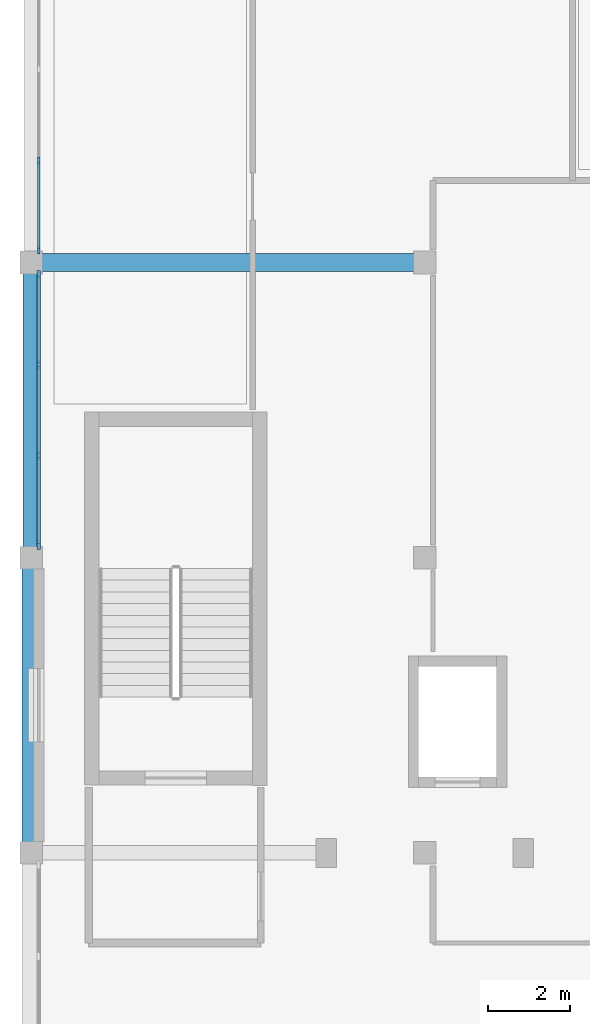
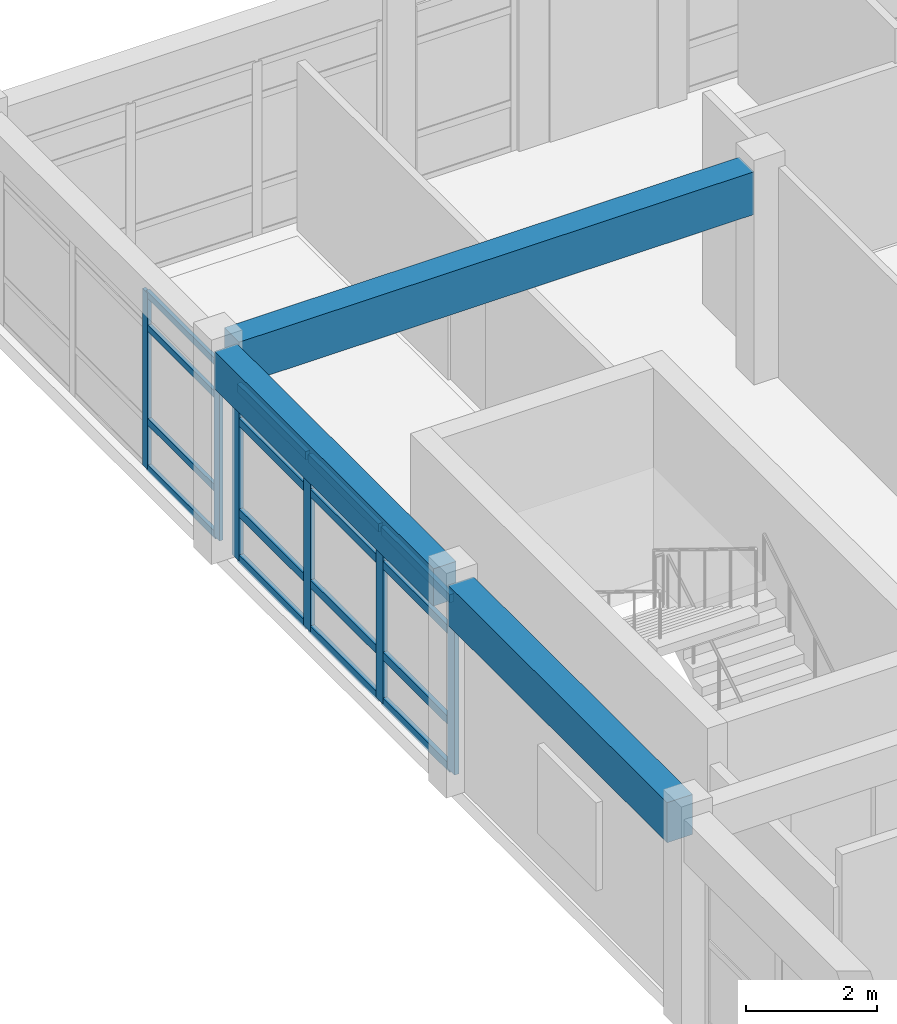
# One storey, part 11 of 60: 22 members, 3 beams, 2 elements without a shape of their own.
"""IFC4 building model written with IfcOpenShell, lengths in metres."""

from ifc_helpers import new_model, si_unit, direction, frame, origin, origin_2d, place, context, subcontext, project, spatial, rectangle, extrude, material, layer, layer_set, material_profile, profile_set, type_object, element, aggregate, save


model = new_model("IFC4")

# Units and contexts
model_context = context("Model", 3, precision=1e-05, world=origin(), true_north=direction((0.0, 1.0)))
body_context = subcontext(model_context, "Body", "Model", "MODEL_VIEW")
ifc_project = project(units=[si_unit("LENGTHUNIT", "METRE"), si_unit("AREAUNIT", "SQUARE_METRE"), si_unit("VOLUMEUNIT", "CUBIC_METRE"), si_unit("PLANEANGLEUNIT", "RADIAN"), si_unit("MASSUNIT", "GRAM", prefix="KILO")], contexts=[model_context])

# Site, building, storey
site_placement = place(None, origin())
site = spatial("IfcSite", under=ifc_project, at=site_placement, CompositionType="ELEMENT")
building_placement = place(site_placement, origin())
building = spatial("IfcBuilding", under=site, at=building_placement, Name="Brisavento Harbour Community Centre", CompositionType="ELEMENT")
storey_placement = place(building_placement, frame((0.0, 0.0, 4.5)))
storey = spatial("IfcBuildingStorey", under=building, at=storey_placement, Name="L01", CompositionType="ELEMENT", Elevation=4.5)

# Beams
ifc_material_1 = material(Name="Concrete C35/45", Category="concrete")
ifc_material_profile_1 = material_profile(ifc_material_1, rectangle(XDim=0.39990234375, YDim=0.699951171875, at=origin_2d()), Name="Concrete C35/45")
ifc_profile_set_1 = profile_set([ifc_material_profile_1], Name="Concrete C35/45")
beam_type_1 = type_object("IfcBeamType", Name="BM-RC-400x700", PredefinedType="BEAM", material=ifc_profile_set_1)
beam_1_placement = place(storey_placement, frame((0.0, 21.844970703125, 3.60009765625), z_axis=(0.0, 1.0, 0.0), x_axis=(-1.0, 0.0, 0.0)))
element("IfcBeam", 1, at=beam_1_placement, inside=storey, type_object=beam_type_1, Name="L01 primary girder Y0477", PredefinedType="BEAM", context=body_context, shape_type="SweptSolid", body=[
    extrude(rectangle(XDim=0.39990234375, YDim=0.699951171875, at=origin_2d()), origin(), (0.0, 0.0, 1.0), 6.7099609375),
])
ifc_material_profile_2 = material_profile(ifc_material_1, rectangle(XDim=0.449951171875, YDim=0.75, at=origin_2d()), Name="Concrete C35/45")
ifc_profile_set_2 = profile_set([ifc_material_profile_2], Name="Concrete C35/45")
beam_type_2 = type_object("IfcBeamType", Name="BM-RC-450x750", PredefinedType="BEAM", material=ifc_profile_set_2)
beam_2_placement = place(storey_placement, frame((0.0, 14.64501953125, 3.574951171875), z_axis=(0.0, 1.0, 0.0), x_axis=(-1.0, 0.0, 0.0)))
element("IfcBeam", 2, at=beam_2_placement, inside=storey, type_object=beam_type_2, Name="L01 primary girder Y0476", PredefinedType="BEAM", context=body_context, shape_type="SweptSolid", body=[
    extrude(rectangle(XDim=0.449951171875, YDim=0.75, at=origin_2d()), origin(), (0.0, 0.0, 1.0), 6.7099609375),
])
ifc_material_profile_3 = material_profile(ifc_material_1, rectangle(XDim=0.449951171875, YDim=0.800048828125, at=origin_2d()), Name="Concrete C35/45")
ifc_profile_set_3 = profile_set([ifc_material_profile_3], Name="Concrete C35/45")
beam_type_3 = type_object("IfcBeamType", Name="BM-RC-450x800", PredefinedType="BEAM", material=ifc_profile_set_3)
beam_3_placement = place(storey_placement, frame((0.2451171875, 28.800048828125, 3.550048828125), z_axis=(1.0, 0.0, 0.0), x_axis=(0.0, 1.0, 0.0)))
element("IfcBeam", 3, at=beam_3_placement, inside=storey, type_object=beam_type_3, Name="L01 primary girder X0440", PredefinedType="BEAM", context=body_context, shape_type="SweptSolid", body=[
    extrude(rectangle(XDim=0.449951171875, YDim=0.800048828125, at=origin_2d()), origin(), (0.0, 0.0, 1.0), 9.10986328125),
])

# Curtain wall, members
ifc_material_2 = material(Name="Marine-anodised aluminium AW-6063-T6", Category="aluminium")
ifc_layer_1 = layer(ifc_material_2, 0.179931640625, Name="Marine-anodised aluminium AW-6063-T6")
ifc_layer_set_1 = layer_set([ifc_layer_1], Name="Marine-anodised aluminium AW-6063-T6")
curtain_wall_type_1 = type_object("IfcCurtainWallType", Name="CW-SYS-21", PredefinedType="USERDEFINED", material=ifc_layer_set_1)
curtain_wall_1_placement = place(storey_placement, origin())
curtain_wall_1 = element("IfcCurtainWall", 4, at=curtain_wall_1_placement, inside=storey, type_object=curtain_wall_type_1, Name="L01 V1 unitised curtain wall 049", ObjectType="UNITISED CURTAIN WALL", PredefinedType="USERDEFINED")
ifc_material_profile_4 = material_profile(ifc_material_2, rectangle(XDim=0.06494140625, YDim=0.1650390625, at=origin_2d()), Name="Marine-anodised aluminium AW-6063-T6")
ifc_profile_set_4 = profile_set([ifc_material_profile_4], Name="Marine-anodised aluminium AW-6063-T6")
member_type_1 = type_object("IfcMemberType", Name="CWM-01", PredefinedType="MULLION", material=ifc_profile_set_4)
member_1_placement = place(storey_placement, frame((0.179931640625, 29.092529296875, 0.0), z_axis=(0.0, 0.0, 1.0), x_axis=(-1.0, 0.0, 0.0)))
member_1 = element("IfcMember", 5, at=member_1_placement, type_object=member_type_1, Name="CW-21 mullion 1", PredefinedType="MULLION", context=body_context, shape_type="SweptSolid", body=[
    extrude(rectangle(XDim=0.06494140625, YDim=0.1650390625, at=origin_2d()), origin(), (0.0, 0.0, 1.0), 3.300048828125),
])
member_2_placement = place(storey_placement, frame((0.179931640625, 31.28662109375, 0.0), z_axis=(0.0, 0.0, 1.0), x_axis=(-1.0, 0.0, 0.0)))
member_2 = element("IfcMember", 6, at=member_2_placement, type_object=member_type_1, Name="CW-21 mullion 2", PredefinedType="MULLION", context=body_context, shape_type="SweptSolid", body=[
    extrude(rectangle(XDim=0.06494140625, YDim=0.1650390625, at=origin_2d()), origin(), (0.0, 0.0, 1.0), 3.300048828125),
])

ifc_layer_2 = layer(ifc_material_2, 0.179931640625, Name="Marine-anodised aluminium AW-6063-T6")
ifc_layer_set_2 = layer_set([ifc_layer_2], Name="Marine-anodised aluminium AW-6063-T6")
curtain_wall_type_2 = type_object("IfcCurtainWallType", Name="CW-SYS-20", PredefinedType="USERDEFINED", material=ifc_layer_set_2)
curtain_wall_2_placement = place(storey_placement, origin())
curtain_wall_2 = element("IfcCurtainWall", 7, at=curtain_wall_2_placement, inside=storey, type_object=curtain_wall_type_2, Name="L01 V1 unitised curtain wall 048", ObjectType="UNITISED CURTAIN WALL", PredefinedType="USERDEFINED")
ifc_material_profile_5 = material_profile(ifc_material_2, rectangle(XDim=0.080078125, YDim=0.2099609375, at=origin_2d()), Name="Marine-anodised aluminium AW-6063-T6")
ifc_profile_set_5 = profile_set([ifc_material_profile_5], Name="Marine-anodised aluminium AW-6063-T6")
member_type_2 = type_object("IfcMemberType", Name="CWM-04", PredefinedType="MULLION", material=ifc_profile_set_5)
member_3_placement = place(storey_placement, frame((0.179931640625, 21.89990234375, 0.0), z_axis=(0.0, 0.0, 1.0), x_axis=(-1.0, 0.0, 0.0)))
member_3 = element("IfcMember", 8, at=member_3_placement, type_object=member_type_2, Name="CW-20 mullion 1", PredefinedType="MULLION", context=body_context, shape_type="SweptSolid", body=[
    extrude(rectangle(XDim=0.080078125, YDim=0.2099609375, at=origin_2d()), origin(), (0.0, 0.0, 1.0), 3.25),
])
member_4_placement = place(storey_placement, frame((0.179931640625, 24.086669921875, 0.0), z_axis=(0.0, 0.0, 1.0), x_axis=(-1.0, 0.0, 0.0)))
member_4 = element("IfcMember", 9, at=member_4_placement, type_object=member_type_2, Name="CW-20 mullion 2", PredefinedType="MULLION", context=body_context, shape_type="SweptSolid", body=[
    extrude(rectangle(XDim=0.080078125, YDim=0.2099609375, at=origin_2d()), origin(), (0.0, 0.0, 1.0), 3.25),
])
member_5_placement = place(storey_placement, frame((0.179931640625, 26.313232421875, 0.0), z_axis=(0.0, 0.0, 1.0), x_axis=(-1.0, 0.0, 0.0)))
member_5 = element("IfcMember", 10, at=member_5_placement, type_object=member_type_2, Name="CW-20 mullion 3", PredefinedType="MULLION", context=body_context, shape_type="SweptSolid", body=[
    extrude(rectangle(XDim=0.080078125, YDim=0.2099609375, at=origin_2d()), origin(), (0.0, 0.0, 1.0), 3.25),
])
member_6_placement = place(storey_placement, frame((0.179931640625, 28.5, 0.0), z_axis=(0.0, 0.0, 1.0), x_axis=(-1.0, 0.0, 0.0)))
member_6 = element("IfcMember", 11, at=member_6_placement, type_object=member_type_2, Name="CW-20 mullion 4", PredefinedType="MULLION", context=body_context, shape_type="SweptSolid", body=[
    extrude(rectangle(XDim=0.080078125, YDim=0.2099609375, at=origin_2d()), origin(), (0.0, 0.0, 1.0), 3.25),
])

# Member
ifc_material_profile_6 = material_profile(ifc_material_2, rectangle(XDim=0.06494140625, YDim=0.125, at=origin_2d()), Name="Marine-anodised aluminium AW-6063-T6")
ifc_profile_set_6 = profile_set([ifc_material_profile_6], Name="Marine-anodised aluminium AW-6063-T6")
member_type_3 = type_object("IfcMemberType", Name="CWT-01", PredefinedType="USERDEFINED", material=ifc_profile_set_6)
member_7_placement = place(storey_placement, frame((0.179931640625, 29.125, 0.032470703125), z_axis=(0.0, 1.0, 0.0), x_axis=(-1.0, 0.0, 0.0)))
member_7 = element("IfcMember", 12, at=member_7_placement, type_object=member_type_3, Name="CW-21 transom 1.1", ObjectType="TRANSOM", PredefinedType="USERDEFINED", context=body_context, shape_type="SweptSolid", body=[
    extrude(rectangle(XDim=0.06494140625, YDim=0.125, at=origin_2d()), origin(), (0.0, 0.0, 1.0), 2.129150390625),
])

member_8_placement = place(storey_placement, frame((0.179931640625, 29.125, 0.89990234375), z_axis=(0.0, 1.0, 0.0), x_axis=(-1.0, 0.0, 0.0)))
member_8 = element("IfcMember", 13, at=member_8_placement, type_object=member_type_3, Name="CW-21 transom 1.2", ObjectType="TRANSOM", PredefinedType="USERDEFINED", context=body_context, shape_type="SweptSolid", body=[
    extrude(rectangle(XDim=0.06494140625, YDim=0.125, at=origin_2d()), origin(), (0.0, 0.0, 1.0), 2.129150390625),
])

member_9_placement = place(storey_placement, frame((0.179931640625, 29.125, 2.64990234375), z_axis=(0.0, 1.0, 0.0), x_axis=(-1.0, 0.0, 0.0)))
member_9 = element("IfcMember", 14, at=member_9_placement, type_object=member_type_3, Name="CW-21 transom 1.3", ObjectType="TRANSOM", PredefinedType="USERDEFINED", context=body_context, shape_type="SweptSolid", body=[
    extrude(rectangle(XDim=0.06494140625, YDim=0.125, at=origin_2d()), origin(), (0.0, 0.0, 1.0), 2.129150390625),
])

member_10_placement = place(storey_placement, frame((0.179931640625, 29.125, 3.267578125), z_axis=(0.0, 1.0, 0.0), x_axis=(-1.0, 0.0, 0.0)))
member_10 = element("IfcMember", 15, at=member_10_placement, type_object=member_type_3, Name="CW-21 transom 1.4", ObjectType="TRANSOM", PredefinedType="USERDEFINED", context=body_context, shape_type="SweptSolid", body=[
    extrude(rectangle(XDim=0.06494140625, YDim=0.125, at=origin_2d()), origin(), (0.0, 0.0, 1.0), 2.129150390625),
])

aggregate(curtain_wall_1, [member_1, member_2, member_7, member_8, member_9, member_10])

ifc_material_profile_7 = material_profile(ifc_material_2, rectangle(XDim=0.080078125, YDim=0.155029296875, at=origin_2d()), Name="Marine-anodised aluminium AW-6063-T6")
ifc_profile_set_7 = profile_set([ifc_material_profile_7], Name="Marine-anodised aluminium AW-6063-T6")
member_type_4 = type_object("IfcMemberType", Name="CWT-04", PredefinedType="USERDEFINED", material=ifc_profile_set_7)
member_11_placement = place(storey_placement, frame((0.179931640625, 21.93994140625, 0.0400390625), z_axis=(0.0, 1.0, 0.0), x_axis=(-1.0, 0.0, 0.0)))
member_11 = element("IfcMember", 16, at=member_11_placement, type_object=member_type_4, Name="CW-20 transom 1.1", ObjectType="TRANSOM", PredefinedType="USERDEFINED", context=body_context, shape_type="SweptSolid", body=[
    extrude(rectangle(XDim=0.080078125, YDim=0.155029296875, at=origin_2d()), origin(), (0.0, 0.0, 1.0), 2.106689453125),
])

member_12_placement = place(storey_placement, frame((0.179931640625, 21.93994140625, 0.89990234375), z_axis=(0.0, 1.0, 0.0), x_axis=(-1.0, 0.0, 0.0)))
member_12 = element("IfcMember", 17, at=member_12_placement, type_object=member_type_4, Name="CW-20 transom 1.2", ObjectType="TRANSOM", PredefinedType="USERDEFINED", context=body_context, shape_type="SweptSolid", body=[
    extrude(rectangle(XDim=0.080078125, YDim=0.155029296875, at=origin_2d()), origin(), (0.0, 0.0, 1.0), 2.106689453125),
])

member_13_placement = place(storey_placement, frame((0.179931640625, 21.93994140625, 2.60009765625), z_axis=(0.0, 1.0, 0.0), x_axis=(-1.0, 0.0, 0.0)))
member_13 = element("IfcMember", 18, at=member_13_placement, type_object=member_type_4, Name="CW-20 transom 1.3", ObjectType="TRANSOM", PredefinedType="USERDEFINED", context=body_context, shape_type="SweptSolid", body=[
    extrude(rectangle(XDim=0.080078125, YDim=0.155029296875, at=origin_2d()), origin(), (0.0, 0.0, 1.0), 2.106689453125),
])

member_14_placement = place(storey_placement, frame((0.179931640625, 21.93994140625, 3.2099609375), z_axis=(0.0, 1.0, 0.0), x_axis=(-1.0, 0.0, 0.0)))
member_14 = element("IfcMember", 19, at=member_14_placement, type_object=member_type_4, Name="CW-20 transom 1.4", ObjectType="TRANSOM", PredefinedType="USERDEFINED", context=body_context, shape_type="SweptSolid", body=[
    extrude(rectangle(XDim=0.080078125, YDim=0.155029296875, at=origin_2d()), origin(), (0.0, 0.0, 1.0), 2.106689453125),
])

member_15_placement = place(storey_placement, frame((0.179931640625, 24.126708984375, 0.0400390625), z_axis=(0.0, 1.0, 0.0), x_axis=(-1.0, 0.0, 0.0)))
member_15 = element("IfcMember", 20, at=member_15_placement, type_object=member_type_4, Name="CW-20 transom 2.1", ObjectType="TRANSOM", PredefinedType="USERDEFINED", context=body_context, shape_type="SweptSolid", body=[
    extrude(rectangle(XDim=0.080078125, YDim=0.155029296875, at=origin_2d()), origin(), (0.0, 0.0, 1.0), 2.146728515625),
])

member_16_placement = place(storey_placement, frame((0.179931640625, 24.126708984375, 0.89990234375), z_axis=(0.0, 1.0, 0.0), x_axis=(-1.0, 0.0, 0.0)))
member_16 = element("IfcMember", 21, at=member_16_placement, type_object=member_type_4, Name="CW-20 transom 2.2", ObjectType="TRANSOM", PredefinedType="USERDEFINED", context=body_context, shape_type="SweptSolid", body=[
    extrude(rectangle(XDim=0.080078125, YDim=0.155029296875, at=origin_2d()), origin(), (0.0, 0.0, 1.0), 2.146728515625),
])

member_17_placement = place(storey_placement, frame((0.179931640625, 24.126708984375, 2.60009765625), z_axis=(0.0, 1.0, 0.0), x_axis=(-1.0, 0.0, 0.0)))
member_17 = element("IfcMember", 22, at=member_17_placement, type_object=member_type_4, Name="CW-20 transom 2.3", ObjectType="TRANSOM", PredefinedType="USERDEFINED", context=body_context, shape_type="SweptSolid", body=[
    extrude(rectangle(XDim=0.080078125, YDim=0.155029296875, at=origin_2d()), origin(), (0.0, 0.0, 1.0), 2.146728515625),
])

member_18_placement = place(storey_placement, frame((0.179931640625, 24.126708984375, 3.2099609375), z_axis=(0.0, 1.0, 0.0), x_axis=(-1.0, 0.0, 0.0)))
member_18 = element("IfcMember", 23, at=member_18_placement, type_object=member_type_4, Name="CW-20 transom 2.4", ObjectType="TRANSOM", PredefinedType="USERDEFINED", context=body_context, shape_type="SweptSolid", body=[
    extrude(rectangle(XDim=0.080078125, YDim=0.155029296875, at=origin_2d()), origin(), (0.0, 0.0, 1.0), 2.146728515625),
])

member_19_placement = place(storey_placement, frame((0.179931640625, 26.353271484375, 0.0400390625), z_axis=(0.0, 1.0, 0.0), x_axis=(-1.0, 0.0, 0.0)))
member_19 = element("IfcMember", 24, at=member_19_placement, type_object=member_type_4, Name="CW-20 transom 3.1", ObjectType="TRANSOM", PredefinedType="USERDEFINED", context=body_context, shape_type="SweptSolid", body=[
    extrude(rectangle(XDim=0.080078125, YDim=0.155029296875, at=origin_2d()), origin(), (0.0, 0.0, 1.0), 2.106689453125),
])

member_20_placement = place(storey_placement, frame((0.179931640625, 26.353271484375, 0.89990234375), z_axis=(0.0, 1.0, 0.0), x_axis=(-1.0, 0.0, 0.0)))
member_20 = element("IfcMember", 25, at=member_20_placement, type_object=member_type_4, Name="CW-20 transom 3.2", ObjectType="TRANSOM", PredefinedType="USERDEFINED", context=body_context, shape_type="SweptSolid", body=[
    extrude(rectangle(XDim=0.080078125, YDim=0.155029296875, at=origin_2d()), origin(), (0.0, 0.0, 1.0), 2.106689453125),
])

member_21_placement = place(storey_placement, frame((0.179931640625, 26.353271484375, 2.60009765625), z_axis=(0.0, 1.0, 0.0), x_axis=(-1.0, 0.0, 0.0)))
member_21 = element("IfcMember", 26, at=member_21_placement, type_object=member_type_4, Name="CW-20 transom 3.3", ObjectType="TRANSOM", PredefinedType="USERDEFINED", context=body_context, shape_type="SweptSolid", body=[
    extrude(rectangle(XDim=0.080078125, YDim=0.155029296875, at=origin_2d()), origin(), (0.0, 0.0, 1.0), 2.106689453125),
])

member_22_placement = place(storey_placement, frame((0.179931640625, 26.353271484375, 3.2099609375), z_axis=(0.0, 1.0, 0.0), x_axis=(-1.0, 0.0, 0.0)))
member_22 = element("IfcMember", 27, at=member_22_placement, type_object=member_type_4, Name="CW-20 transom 3.4", ObjectType="TRANSOM", PredefinedType="USERDEFINED", context=body_context, shape_type="SweptSolid", body=[
    extrude(rectangle(XDim=0.080078125, YDim=0.155029296875, at=origin_2d()), origin(), (0.0, 0.0, 1.0), 2.106689453125),
])

aggregate(curtain_wall_2, [member_3, member_4, member_5, member_6, member_11, member_12, member_13, member_14, member_15, member_16, member_17, member_18, member_19, member_20, member_21, member_22])

save(model, "model.ifc")
